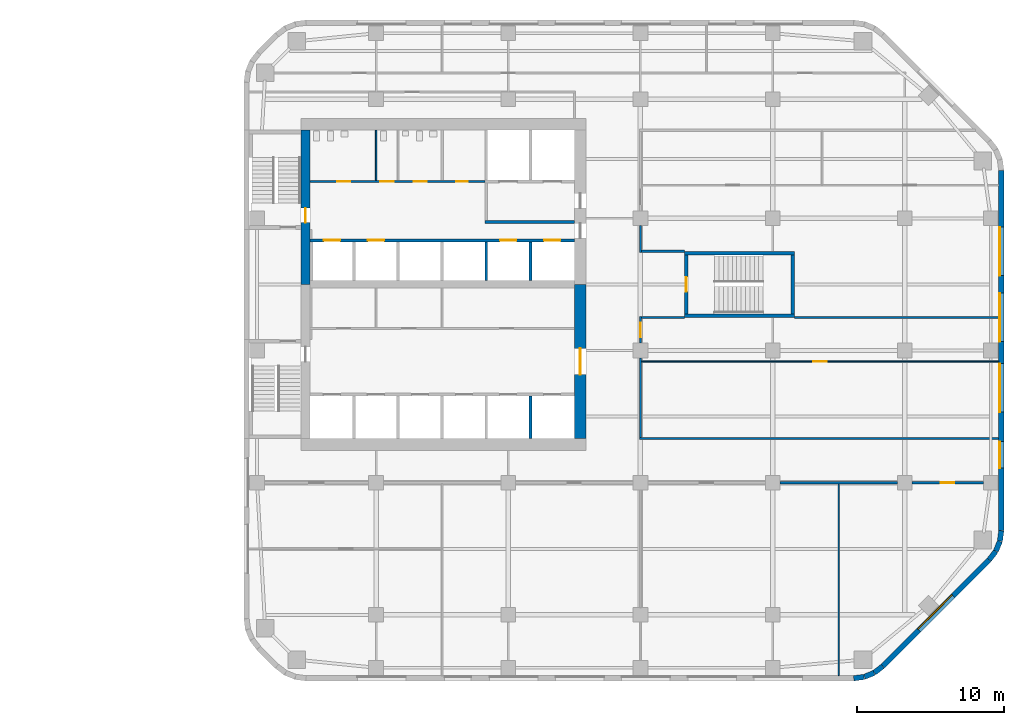
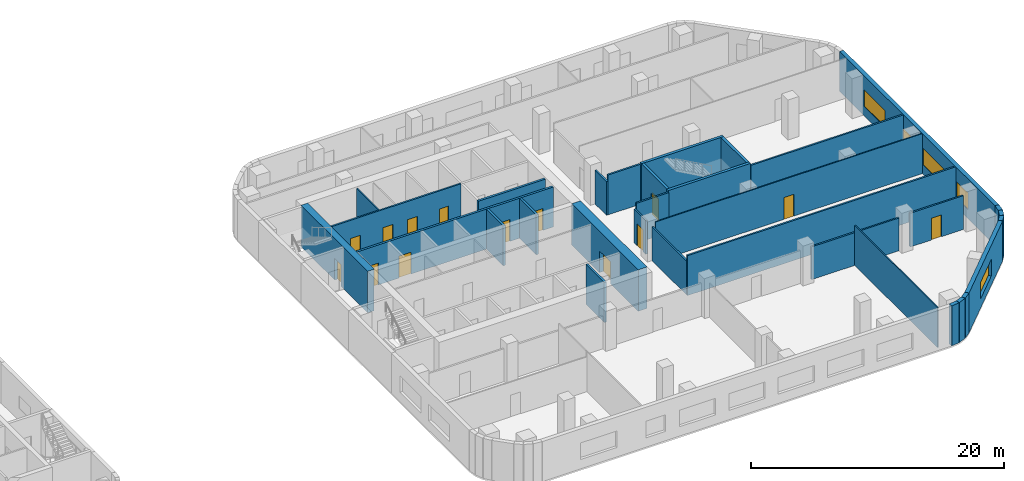
# One storey, part 9 of 14: 32 walls, 14 doors, 5 windows, 19 openings.
"""IFC4 building model written with IfcOpenShell, lengths in metres."""

from ifc_helpers import new_model, si_unit, direction, frame, frame_2d, origin, place, context, subcontext, project, spatial, rectangle, extrude, material, layer, layer_set, type_object, element, fill, save


model = new_model("IFC4")

# Units and contexts
model_context = context("Model", 3, precision=1e-05, world=origin(), true_north=direction((0.0, 1.0)))
body_context = subcontext(model_context, "Body", "Model", "MODEL_VIEW")
ifc_project = project(units=[si_unit("LENGTHUNIT", "METRE"), si_unit("AREAUNIT", "SQUARE_METRE"), si_unit("VOLUMEUNIT", "CUBIC_METRE"), si_unit("PLANEANGLEUNIT", "RADIAN"), si_unit("MASSUNIT", "GRAM", prefix="KILO")], contexts=[model_context])

# Site, building, storey
site_placement = place(None, origin())
site = spatial("IfcSite", under=ifc_project, at=site_placement, CompositionType="ELEMENT")
building_placement = place(site_placement, origin())
building = spatial("IfcBuilding", under=site, at=building_placement, Name="Cinnabar Reach Civic Tower", CompositionType="ELEMENT")
storey_placement = place(building_placement, frame((0.0, 0.0, 112.0)))
storey = spatial("IfcBuildingStorey", under=building, at=storey_placement, Name="L26", CompositionType="ELEMENT", Elevation=112.0)

# Walls
ifc_material_1 = material(Name="Facing brick with insulated backing", Category="masonry")
ifc_layer_1 = layer(ifc_material_1, 0.36)
ifc_layer_set_1 = layer_set([ifc_layer_1], Name="Brick corner wall")
wall_type_1 = type_object("IfcWallType", Name="Brick corner wall", PredefinedType="STANDARD", material=ifc_layer_set_1)
for number, where, z_axis, x_axis, name in (
    (1, (41.5186, 4.683, 0.0), (0.0, 0.0, 1.0), (0.99144092581, 0.13055608231, 0.0), "Brick corner wall"),
    (2, (42.2473, 4.7819, 0.0), (0.0, 0.0, 1.0), (0.923871547278, 0.382702709855, 0.0), "Brick corner wall"),
):
    element("IfcWall", number, at=place(storey_placement, frame(where, z_axis=z_axis, x_axis=x_axis)), inside=storey, type_object=wall_type_1, Name=name, PredefinedType="STANDARD", context=body_context, shape_type="SweptSolid", body=[
        extrude(rectangle(XDim=0.7131, YDim=0.36, at=frame_2d((0.3565, 0.0))), origin(), (0.0, 0.0, 1.0), 3.85),
    ])
for number, where, z_axis, x_axis, name in (
    (3, (42.9255, 5.066, 0.0), (0.0, 0.0, 1.0), (0.793321924995, 0.608802368033, 0.0), "Brick corner wall"),
    (4, (50.7498, 12.7587, 0.0), (0.0, 0.0, 1.0), (0.608802368033, 0.793321924995, 0.0), "Brick corner wall"),
):
    element("IfcWall", number, at=place(storey_placement, frame(where, z_axis=z_axis, x_axis=x_axis)), inside=storey, type_object=wall_type_1, Name=name, PredefinedType="STANDARD", context=body_context, shape_type="SweptSolid", body=[
        extrude(rectangle(XDim=0.7132, YDim=0.36, at=frame_2d((0.3566, 0.0))), origin(), (0.0, 0.0, 1.0), 3.85),
    ])
for number, where, z_axis, x_axis, name in (
    (5, (51.1952, 13.3439, 0.0), (0.0, 0.0, 1.0), (0.382702709855, 0.923871547278, 0.0), "Brick corner wall"),
    (6, (51.4739, 14.0244, 0.0), (0.0, 0.0, 1.0), (0.13055608231, 0.99144092581, 0.0), "Brick corner wall"),
):
    element("IfcWall", number, at=place(storey_placement, frame(where, z_axis=z_axis, x_axis=x_axis)), inside=storey, type_object=wall_type_1, Name=name, PredefinedType="STANDARD", context=body_context, shape_type="SweptSolid", body=[
        extrude(rectangle(XDim=0.7131, YDim=0.36, at=frame_2d((0.3565, 0.0))), origin(), (0.0, 0.0, 1.0), 3.85),
    ])

# Wall, opening, window
ifc_layer_2 = layer(ifc_material_1, 0.36)
ifc_layer_set_2 = layer_set([ifc_layer_2], Name="Brick pier and spandrel wall")
wall_type_2 = type_object("IfcWallType", Name="Brick pier and spandrel wall", PredefinedType="STANDARD", material=ifc_layer_set_2)
wall_1_placement = place(storey_placement, frame((43.5014, 5.506, 0.0), z_axis=(0.0, 0.0, 1.0), x_axis=(0.707106781187, 0.707106781187, 0.0)))
wall_1 = element("IfcWall", 7, at=wall_1_placement, inside=storey, type_object=wall_type_2, Name="Brick facade wall", PredefinedType="STANDARD", context=body_context, shape_type="SweptSolid", body=[
    extrude(rectangle(XDim=10.2426, YDim=0.36, at=frame_2d((5.1213, 0.0))), origin(), (0.0, 0.0, 1.0), 3.85),
])
opening_1_placement = place(wall_1_placement, frame((3.4713, 0.0, 0.9)))
opening_1 = element("IfcOpeningElement", 8, at=opening_1_placement, cuts=wall_1, Name="Opening W1552", PredefinedType="OPENING", context=body_context, shape_type="SweptSolid", body=[
    extrude(rectangle(XDim=3.3, YDim=1.6, at=frame_2d((1.65, 0.8))), frame((0.0, 0.19, 0.0), z_axis=(0.0, -1.0, 0.0), x_axis=(1.0, 0.0, 0.0)), (0.0, 0.0, 1.0), 0.38),
])
ifc_material_2 = material(Name="Clear double glazing in aluminium frame", Category="aluminium")
window_type_1 = type_object("IfcWindowType", Name="Deep-set window A", PartitioningType="SINGLE_PANEL", PredefinedType="WINDOW", material=ifc_material_2)
window_1_placement = place(opening_1_placement, origin())
window_1 = element("IfcWindow", 9, at=window_1_placement, inside=storey, type_object=window_type_1, Name="Window southeast face", OverallHeight=1.6, OverallWidth=3.3, PartitioningType="SINGLE_PANEL", PredefinedType="WINDOW", context=body_context, shape_type="SweptSolid", body=[
    extrude(rectangle(XDim=3.3, YDim=1.6, at=frame_2d((1.65, 0.8))), frame((0.0, 0.13, 0.0), z_axis=(0.0, -1.0, 0.0), x_axis=(1.0, 0.0, 0.0)), (0.0, 0.0, 1.0), 0.06),
])
fill(opening_1, window_1)

# Wall, openings, windows
wall_2_placement = place(storey_placement, frame((51.57, 14.7426, 0.0), z_axis=(0.0, 0.0, 1.0), x_axis=(0.0, 1.0, 0.0)))
wall_2 = element("IfcWall", 10, at=wall_2_placement, inside=storey, type_object=wall_type_2, Name="Brick facade wall", PredefinedType="STANDARD", context=body_context, shape_type="SweptSolid", body=[
    extrude(rectangle(XDim=24.5148, YDim=0.36, at=frame_2d((12.2574, 0.0))), origin(), (0.0, 0.0, 1.0), 3.85),
])
opening_2_placement = place(wall_2_placement, frame((4.2574, 0.0, 0.9)))
opening_2 = element("IfcOpeningElement", 11, at=opening_2_placement, cuts=wall_2, Name="Opening W1553", PredefinedType="OPENING", context=body_context, shape_type="SweptSolid", body=[
    extrude(rectangle(XDim=1.8, YDim=1.6, at=frame_2d((0.9, 0.8))), frame((0.0, 0.19, 0.0), z_axis=(0.0, -1.0, 0.0), x_axis=(1.0, 0.0, 0.0)), (0.0, 0.0, 1.0), 0.38),
])
opening_3_placement = place(wall_2_placement, frame((8.0574, 0.0, 0.9)))
opening_3 = element("IfcOpeningElement", 12, at=opening_3_placement, cuts=wall_2, Name="Opening W1554", PredefinedType="OPENING", context=body_context, shape_type="SweptSolid", body=[
    extrude(rectangle(XDim=3.3, YDim=1.6, at=frame_2d((1.65, 0.8))), frame((0.0, 0.19, 0.0), z_axis=(0.0, -1.0, 0.0), x_axis=(1.0, 0.0, 0.0)), (0.0, 0.0, 1.0), 0.38),
])
opening_4_placement = place(wall_2_placement, frame((12.8574, 0.0, 0.9)))
opening_4 = element("IfcOpeningElement", 13, at=opening_4_placement, cuts=wall_2, Name="Opening W1555", PredefinedType="OPENING", context=body_context, shape_type="SweptSolid", body=[
    extrude(rectangle(XDim=3.3, YDim=1.6, at=frame_2d((1.65, 0.8))), frame((0.0, 0.19, 0.0), z_axis=(0.0, -1.0, 0.0), x_axis=(1.0, 0.0, 0.0)), (0.0, 0.0, 1.0), 0.38),
])
opening_5_placement = place(wall_2_placement, frame((17.3574, 0.0, 0.9)))
opening_5 = element("IfcOpeningElement", 14, at=opening_5_placement, cuts=wall_2, Name="Opening W1556", PredefinedType="OPENING", context=body_context, shape_type="SweptSolid", body=[
    extrude(rectangle(XDim=3.3, YDim=1.6, at=frame_2d((1.65, 0.8))), frame((0.0, 0.19, 0.0), z_axis=(0.0, -1.0, 0.0), x_axis=(1.0, 0.0, 0.0)), (0.0, 0.0, 1.0), 0.38),
])
window_2_placement = place(opening_3_placement, origin())
window_2 = element("IfcWindow", 15, at=window_2_placement, inside=storey, type_object=window_type_1, Name="Window east face", OverallHeight=1.6, OverallWidth=3.3, PartitioningType="SINGLE_PANEL", PredefinedType="WINDOW", context=body_context, shape_type="SweptSolid", body=[
    extrude(rectangle(XDim=3.3, YDim=1.6, at=frame_2d((1.65, 0.8))), frame((0.0, 0.13, 0.0), z_axis=(0.0, -1.0, 0.0), x_axis=(1.0, 0.0, 0.0)), (0.0, 0.0, 1.0), 0.06),
])
fill(opening_3, window_2)
window_3_placement = place(opening_4_placement, origin())
window_3 = element("IfcWindow", 16, at=window_3_placement, inside=storey, type_object=window_type_1, Name="Window east face", OverallHeight=1.6, OverallWidth=3.3, PartitioningType="SINGLE_PANEL", PredefinedType="WINDOW", context=body_context, shape_type="SweptSolid", body=[
    extrude(rectangle(XDim=3.3, YDim=1.6, at=frame_2d((1.65, 0.8))), frame((0.0, 0.13, 0.0), z_axis=(0.0, -1.0, 0.0), x_axis=(1.0, 0.0, 0.0)), (0.0, 0.0, 1.0), 0.06),
])
fill(opening_4, window_3)
window_4_placement = place(opening_5_placement, origin())
window_4 = element("IfcWindow", 17, at=window_4_placement, inside=storey, type_object=window_type_1, Name="Window east face", OverallHeight=1.6, OverallWidth=3.3, PartitioningType="SINGLE_PANEL", PredefinedType="WINDOW", context=body_context, shape_type="SweptSolid", body=[
    extrude(rectangle(XDim=3.3, YDim=1.6, at=frame_2d((1.65, 0.8))), frame((0.0, 0.13, 0.0), z_axis=(0.0, -1.0, 0.0), x_axis=(1.0, 0.0, 0.0)), (0.0, 0.0, 1.0), 0.06),
])
fill(opening_5, window_4)
window_type_2 = type_object("IfcWindowType", Name="Deep-set window D", PartitioningType="SINGLE_PANEL", PredefinedType="WINDOW", material=ifc_material_2)
window_5_placement = place(opening_2_placement, origin())
window_5 = element("IfcWindow", 18, at=window_5_placement, inside=storey, type_object=window_type_2, Name="Window east face", OverallHeight=1.6, OverallWidth=1.8, PartitioningType="SINGLE_PANEL", PredefinedType="WINDOW", context=body_context, shape_type="SweptSolid", body=[
    extrude(rectangle(XDim=1.8, YDim=1.6, at=frame_2d((0.9, 0.8))), frame((0.0, 0.13, 0.0), z_axis=(0.0, -1.0, 0.0), x_axis=(1.0, 0.0, 0.0)), (0.0, 0.0, 1.0), 0.06),
])
fill(opening_2, window_5)

# Wall, opening, door
ifc_material_3 = material(Name="Concrete C70", Category="concrete")
ifc_layer_3 = layer(ifc_material_3, 0.6)
ifc_layer_set_3 = layer_set([ifc_layer_3], Name="Core wall 600 EI 180")
wall_type_3 = type_object("IfcWallType", Name="Core wall 600 EI 180", PredefinedType="SOLIDWALL", material=ifc_layer_set_3)
wall_3_placement = place(storey_placement, frame((4.2, 42.0, 0.0), z_axis=(0.0, 0.0, 1.0), x_axis=(0.0, -1.0, 0.0)))
wall_3 = element("IfcWall", 19, at=wall_3_placement, inside=storey, type_object=wall_type_3, Name="Core wall T1 L26 W", PredefinedType="SOLIDWALL", context=body_context, shape_type="SweptSolid", body=[
    extrude(rectangle(XDim=10.5, YDim=0.6, at=frame_2d((5.25, 0.0))), origin(), (0.0, 0.0, 1.0), 4.0),
])
opening_6_placement = place(wall_3_placement, frame((5.3, 0.0, 0.0)))
opening_6 = element("IfcOpeningElement", 20, at=opening_6_placement, cuts=wall_3, Name="Opening D4047", PredefinedType="OPENING", context=body_context, shape_type="SweptSolid", body=[
    extrude(rectangle(XDim=1.0, YDim=2.1, at=frame_2d((0.5, 1.05))), frame((0.0, 0.31, 0.0), z_axis=(0.0, -1.0, 0.0), x_axis=(1.0, 0.0, 0.0)), (0.0, 0.0, 1.0), 0.62),
])
ifc_material_4 = material(Name="Timber door leaf in steel frame", Category="steel")
door_type_1 = type_object("IfcDoorType", Name="Stair door 1000 x 2100 T1", OperationType="SINGLE_SWING_LEFT", PredefinedType="DOOR", material=ifc_material_4)
door_1_placement = place(opening_6_placement, frame((1.0, 0.0, 0.0), z_axis=(0.0, 0.0, 1.0), x_axis=(-1.0, 0.0, 0.0)))
door_1 = element("IfcDoor", 21, at=door_1_placement, inside=storey, type_object=door_type_1, Name="Door D4047", OperationType="SINGLE_SWING_LEFT", OverallHeight=2.1, OverallWidth=1.0, PredefinedType="DOOR", context=body_context, shape_type="SweptSolid", body=[
    extrude(rectangle(XDim=1.0, YDim=2.1, at=frame_2d((0.5, 1.05))), frame((0.0, 0.025, 0.0), z_axis=(0.0, -1.0, 0.0), x_axis=(1.0, 0.0, 0.0)), (0.0, 0.0, 1.0), 0.05),
])
fill(opening_6, door_1)

ifc_layer_4 = layer(ifc_material_3, 0.8)
ifc_layer_set_4 = layer_set([ifc_layer_4], Name="Core wall 800 EI 180")
wall_type_4 = type_object("IfcWallType", Name="Core wall 800 EI 180", PredefinedType="SOLIDWALL", material=ifc_layer_set_4)
wall_4_placement = place(storey_placement, frame((22.9, 21.0, 0.0), z_axis=(0.0, 0.0, 1.0), x_axis=(0.0, 1.0, 0.0)))
wall_4 = element("IfcWall", 22, at=wall_4_placement, inside=storey, type_object=wall_type_4, Name="Core wall T1 L26 E", PredefinedType="SOLIDWALL", context=body_context, shape_type="SweptSolid", body=[
    extrude(rectangle(XDim=10.5, YDim=0.8, at=frame_2d((5.25, 0.0))), origin(), (0.0, 0.0, 1.0), 4.0),
])
opening_7_placement = place(wall_4_placement, frame((4.35, 0.0, 0.0)))
opening_7 = element("IfcOpeningElement", 23, at=opening_7_placement, cuts=wall_4, Name="Opening D4061", PredefinedType="OPENING", context=body_context, shape_type="SweptSolid", body=[
    extrude(rectangle(XDim=1.8, YDim=2.1, at=frame_2d((0.9, 1.05))), frame((0.0, 0.41, 0.0), z_axis=(0.0, -1.0, 0.0), x_axis=(1.0, 0.0, 0.0)), (0.0, 0.0, 1.0), 0.82),
])
door_type_2 = type_object("IfcDoorType", Name="Double swing door 1800 x 2100 T1", OperationType="DOUBLE_DOOR_DOUBLE_SWING", PredefinedType="DOOR", material=ifc_material_4)
door_2_placement = place(opening_7_placement, origin())
door_2 = element("IfcDoor", 24, at=door_2_placement, inside=storey, type_object=door_type_2, Name="Door D4061", OperationType="DOUBLE_DOOR_DOUBLE_SWING", OverallHeight=2.1, OverallWidth=1.8, PredefinedType="DOOR", context=body_context, shape_type="SweptSolid", body=[
    extrude(rectangle(XDim=1.8, YDim=2.1, at=frame_2d((0.9, 1.05))), frame((0.0, 0.025, 0.0), z_axis=(0.0, -1.0, 0.0), x_axis=(1.0, 0.0, 0.0)), (0.0, 0.0, 1.0), 0.05),
])
fill(opening_7, door_2)

ifc_material_5 = material(Name="Gypsum board on steel studs, double layer", Category="steel")
ifc_layer_5 = layer(ifc_material_5, 0.15)
ifc_layer_set_5 = layer_set([ifc_layer_5], Name="Corridor wall 150 T1")
wall_type_5 = type_object("IfcWallType", Name="Corridor wall 150 T1", PredefinedType="PARTITIONING", material=ifc_layer_set_5)
wall_5_placement = place(storey_placement, frame((45.5, 18.0, 0.0), z_axis=(0.0, 0.0, 1.0), x_axis=(1.0, 0.0, 0.0)))
wall_5 = element("IfcWall", 25, at=wall_5_placement, inside=storey, type_object=wall_type_5, Name="Corridor wall 19", PredefinedType="PARTITIONING", context=body_context, shape_type="SweptSolid", body=[
    extrude(rectangle(XDim=4.85, YDim=0.15, at=frame_2d((2.425, 0.0))), origin(), (0.0, 0.0, 1.0), 3.254),
])
opening_8_placement = place(wall_5_placement, frame((1.95, 0.0, 0.0)))
opening_8 = element("IfcOpeningElement", 26, at=opening_8_placement, cuts=wall_5, Name="Opening D4081", PredefinedType="OPENING", context=body_context, shape_type="SweptSolid", body=[
    extrude(rectangle(XDim=0.9, YDim=2.1, at=frame_2d((0.45, 1.05))), frame((0.0, 0.085, 0.0), z_axis=(0.0, -1.0, 0.0), x_axis=(1.0, 0.0, 0.0)), (0.0, 0.0, 1.0), 0.17),
])
door_type_3 = type_object("IfcDoorType", Name="Single swing door 900 x 2100 corridor T1", OperationType="SINGLE_SWING_LEFT", PredefinedType="DOOR", material=ifc_material_4)
door_3_placement = place(opening_8_placement, frame((0.9, 0.0, 0.0), z_axis=(0.0, 0.0, 1.0), x_axis=(-1.0, 0.0, 0.0)))
door_3 = element("IfcDoor", 27, at=door_3_placement, inside=storey, type_object=door_type_3, Name="Door D4081", OperationType="SINGLE_SWING_LEFT", OverallHeight=2.1, OverallWidth=0.9, PredefinedType="DOOR", context=body_context, shape_type="SweptSolid", body=[
    extrude(rectangle(XDim=0.9, YDim=2.1, at=frame_2d((0.45, 1.05))), frame((0.0, 0.025, 0.0), z_axis=(0.0, -1.0, 0.0), x_axis=(1.0, 0.0, 0.0)), (0.0, 0.0, 1.0), 0.05),
])
fill(opening_8, door_3)

# Walls
wall_6_placement = place(storey_placement, frame((36.5, 18.0, 0.0), z_axis=(0.0, 0.0, 1.0), x_axis=(1.0, 0.0, 0.0)))
element("IfcWall", 28, at=wall_6_placement, inside=storey, type_object=wall_type_5, Name="Corridor wall 20", PredefinedType="PARTITIONING", context=body_context, shape_type="SweptSolid", body=[
    extrude(rectangle(XDim=8.0, YDim=0.15, at=frame_2d((4.0, 0.0))), origin(), (0.0, 0.0, 1.0), 3.158),
])
wall_7_placement = place(storey_placement, frame((26.925, 21.0, 0.0), z_axis=(0.0, 0.0, 1.0), x_axis=(1.0, 0.0, 0.0)))
element("IfcWall", 29, at=wall_7_placement, inside=storey, type_object=wall_type_5, Name="Corridor wall 26", PredefinedType="PARTITIONING", context=body_context, shape_type="SweptSolid", body=[
    extrude(rectangle(XDim=24.465, YDim=0.15, at=frame_2d((12.2325, 0.0))), origin(), (0.0, 0.0, 1.0), 3.85),
])

# Wall, openings, doors
wall_8_placement = place(storey_placement, frame((4.5, 38.5, 0.0), z_axis=(0.0, 0.0, 1.0), x_axis=(1.0, 0.0, 0.0)))
wall_8 = element("IfcWall", 30, at=wall_8_placement, inside=storey, type_object=wall_type_5, Name="Corridor wall 30", PredefinedType="PARTITIONING", context=body_context, shape_type="SweptSolid", body=[
    extrude(rectangle(XDim=11.9, YDim=0.15, at=frame_2d((5.95, 0.0))), origin(), (0.0, 0.0, 1.0), 3.85),
])
opening_9_placement = place(wall_8_placement, frame((1.85, 0.0, 0.0)))
opening_9 = element("IfcOpeningElement", 31, at=opening_9_placement, cuts=wall_8, Name="Opening D4068", PredefinedType="OPENING", context=body_context, shape_type="SweptSolid", body=[
    extrude(rectangle(XDim=0.9, YDim=2.1, at=frame_2d((0.45, 1.05))), frame((0.0, 0.085, 0.0), z_axis=(0.0, -1.0, 0.0), x_axis=(1.0, 0.0, 0.0)), (0.0, 0.0, 1.0), 0.17),
])
opening_10_placement = place(wall_8_placement, frame((4.8, 0.0, 0.0)))
opening_10 = element("IfcOpeningElement", 32, at=opening_10_placement, cuts=wall_8, Name="Opening D4069", PredefinedType="OPENING", context=body_context, shape_type="SweptSolid", body=[
    extrude(rectangle(XDim=0.9, YDim=2.1, at=frame_2d((0.45, 1.05))), frame((0.0, 0.085, 0.0), z_axis=(0.0, -1.0, 0.0), x_axis=(1.0, 0.0, 0.0)), (0.0, 0.0, 1.0), 0.17),
])
opening_11_placement = place(wall_8_placement, frame((7.05, 0.0, 0.0)))
opening_11 = element("IfcOpeningElement", 33, at=opening_11_placement, cuts=wall_8, Name="Opening D4070", PredefinedType="OPENING", context=body_context, shape_type="SweptSolid", body=[
    extrude(rectangle(XDim=0.9, YDim=2.1, at=frame_2d((0.45, 1.05))), frame((0.0, 0.085, 0.0), z_axis=(0.0, -1.0, 0.0), x_axis=(1.0, 0.0, 0.0)), (0.0, 0.0, 1.0), 0.17),
])
opening_12_placement = place(wall_8_placement, frame((9.95, 0.0, 0.0)))
opening_12 = element("IfcOpeningElement", 34, at=opening_12_placement, cuts=wall_8, Name="Opening D4071", PredefinedType="OPENING", context=body_context, shape_type="SweptSolid", body=[
    extrude(rectangle(XDim=0.8, YDim=2.1, at=frame_2d((0.4, 1.05))), frame((0.0, 0.085, 0.0), z_axis=(0.0, -1.0, 0.0), x_axis=(1.0, 0.0, 0.0)), (0.0, 0.0, 1.0), 0.17),
])
door_type_4 = type_object("IfcDoorType", Name="Riser access door 800 x 2100 T1", OperationType="SINGLE_SWING_LEFT", PredefinedType="DOOR", material=ifc_material_4)
door_4_placement = place(opening_12_placement, origin())
door_4 = element("IfcDoor", 35, at=door_4_placement, inside=storey, type_object=door_type_4, Name="Door D4071", OperationType="SINGLE_SWING_LEFT", OverallHeight=2.1, OverallWidth=0.8, PredefinedType="DOOR", context=body_context, shape_type="SweptSolid", body=[
    extrude(rectangle(XDim=0.8, YDim=2.1, at=frame_2d((0.4, 1.05))), frame((0.0, 0.025, 0.0), z_axis=(0.0, -1.0, 0.0), x_axis=(1.0, 0.0, 0.0)), (0.0, 0.0, 1.0), 0.05),
])
fill(opening_12, door_4)
door_5_placement = place(opening_9_placement, origin())
door_5 = element("IfcDoor", 36, at=door_5_placement, inside=storey, type_object=door_type_3, Name="Door D4068", OperationType="SINGLE_SWING_RIGHT", OverallHeight=2.1, OverallWidth=0.9, PredefinedType="DOOR", context=body_context, shape_type="SweptSolid", body=[
    extrude(rectangle(XDim=0.9, YDim=2.1, at=frame_2d((0.45, 1.05))), frame((0.0, 0.025, 0.0), z_axis=(0.0, -1.0, 0.0), x_axis=(1.0, 0.0, 0.0)), (0.0, 0.0, 1.0), 0.05),
])
fill(opening_9, door_5)
door_6_placement = place(opening_10_placement, origin())
door_6 = element("IfcDoor", 37, at=door_6_placement, inside=storey, type_object=door_type_3, Name="Door D4069", OperationType="SINGLE_SWING_LEFT", OverallHeight=2.1, OverallWidth=0.9, PredefinedType="DOOR", context=body_context, shape_type="SweptSolid", body=[
    extrude(rectangle(XDim=0.9, YDim=2.1, at=frame_2d((0.45, 1.05))), frame((0.0, 0.025, 0.0), z_axis=(0.0, -1.0, 0.0), x_axis=(1.0, 0.0, 0.0)), (0.0, 0.0, 1.0), 0.05),
])
fill(opening_10, door_6)
door_7_placement = place(opening_11_placement, origin())
door_7 = element("IfcDoor", 38, at=door_7_placement, inside=storey, type_object=door_type_3, Name="Door D4070", OperationType="SINGLE_SWING_LEFT", OverallHeight=2.1, OverallWidth=0.9, PredefinedType="DOOR", context=body_context, shape_type="SweptSolid", body=[
    extrude(rectangle(XDim=0.9, YDim=2.1, at=frame_2d((0.45, 1.05))), frame((0.0, 0.025, 0.0), z_axis=(0.0, -1.0, 0.0), x_axis=(1.0, 0.0, 0.0)), (0.0, 0.0, 1.0), 0.05),
])
fill(opening_11, door_7)

# Wall
wall_9_placement = place(storey_placement, frame((27.0, 21.075, 0.0), z_axis=(0.0, 0.0, 1.0), x_axis=(0.0, 1.0, 0.0)))
element("IfcWall", 39, at=wall_9_placement, inside=storey, type_object=wall_type_5, Name="Corridor wall 31", PredefinedType="PARTITIONING", context=body_context, shape_type="SweptSolid", body=[
    extrude(rectangle(XDim=5.425, YDim=0.15, at=frame_2d((2.7125, 0.0))), origin(), (0.0, 0.0, 1.0), 3.256),
])

# Wall, opening, door
wall_10_placement = place(storey_placement, frame((27.0, 27.5, 0.0), z_axis=(0.0, 0.0, 1.0), x_axis=(0.0, 1.0, 0.0)))
wall_10 = element("IfcWall", 40, at=wall_10_placement, inside=storey, type_object=wall_type_5, Name="Corridor wall 32", PredefinedType="PARTITIONING", context=body_context, shape_type="SweptSolid", body=[
    extrude(rectangle(XDim=1.825, YDim=0.15, at=frame_2d((0.9125, 0.0))), origin(), (0.0, 0.0, 1.0), 3.256),
])
opening_13_placement = place(wall_10_placement, frame((0.4, 0.0, 0.0)))
opening_13 = element("IfcOpeningElement", 41, at=opening_13_placement, cuts=wall_10, Name="Opening D4075", PredefinedType="OPENING", context=body_context, shape_type="SweptSolid", body=[
    extrude(rectangle(XDim=1.0, YDim=2.1, at=frame_2d((0.5, 1.05))), frame((0.0, 0.085, 0.0), z_axis=(0.0, -1.0, 0.0), x_axis=(1.0, 0.0, 0.0)), (0.0, 0.0, 1.0), 0.17),
])
door_type_5 = type_object("IfcDoorType", Name="Tenancy entrance door 1000 x 2100 T1", OperationType="SINGLE_SWING_LEFT", PredefinedType="DOOR", material=ifc_material_4)
door_8_placement = place(opening_13_placement, frame((1.0, 0.0, 0.0), z_axis=(0.0, 0.0, 1.0), x_axis=(-1.0, 0.0, 0.0)))
door_8 = element("IfcDoor", 42, at=door_8_placement, inside=storey, type_object=door_type_5, Name="Door D4075", OperationType="SINGLE_SWING_LEFT", OverallHeight=2.1, OverallWidth=1.0, PredefinedType="DOOR", context=body_context, shape_type="SweptSolid", body=[
    extrude(rectangle(XDim=1.0, YDim=2.1, at=frame_2d((0.5, 1.05))), frame((0.0, 0.025, 0.0), z_axis=(0.0, -1.0, 0.0), x_axis=(1.0, 0.0, 0.0)), (0.0, 0.0, 1.0), 0.05),
])
fill(opening_13, door_8)

# Walls
wall_11_placement = place(storey_placement, frame((27.0, 33.675, 0.0), z_axis=(0.0, 0.0, 1.0), x_axis=(0.0, 1.0, 0.0)))
element("IfcWall", 43, at=wall_11_placement, inside=storey, type_object=wall_type_5, Name="Corridor wall 33", PredefinedType="PARTITIONING", context=body_context, shape_type="SweptSolid", body=[
    extrude(rectangle(XDim=1.825, YDim=0.15, at=frame_2d((0.9125, 0.0))), origin(), (0.0, 0.0, 1.0), 3.256),
])
for number, where, z_axis, x_axis, name in (
    (44, (27.075, 29.25, 0.0), (0.0, 0.0, 1.0), (1.0, 0.0, 0.0), "Corridor wall 37"),
    (45, (27.075, 33.75, 0.0), (0.0, 0.0, 1.0), (1.0, 0.0, 0.0), "Corridor wall 38"),
):
    element("IfcWall", number, at=place(storey_placement, frame(where, z_axis=z_axis, x_axis=x_axis)), inside=storey, type_object=wall_type_5, Name=name, PredefinedType="PARTITIONING", context=body_context, shape_type="SweptSolid", body=[
        extrude(rectangle(XDim=2.925, YDim=0.15, at=frame_2d((1.4625, 0.0))), origin(), (0.0, 0.0, 1.0), 3.85),
    ])

# Wall, openings, doors
ifc_material_6 = material(Name="Blockwork", Category="masonry")
ifc_layer_6 = layer(ifc_material_6, 0.2)
ifc_layer_set_6 = layer_set([ifc_layer_6], Name="Lift shaft wall 200 T1")
wall_type_6 = type_object("IfcWallType", Name="Lift shaft wall 200 T1", PredefinedType="PARTITIONING", material=ifc_layer_set_6)
wall_12_placement = place(storey_placement, frame((4.5, 34.5, 0.0), z_axis=(0.0, 0.0, 1.0), x_axis=(1.0, 0.0, 0.0)))
wall_12 = element("IfcWall", 46, at=wall_12_placement, inside=storey, type_object=wall_type_6, Name="Lift shaft wall 5", PredefinedType="PARTITIONING", context=body_context, shape_type="SweptSolid", body=[
    extrude(rectangle(XDim=18.0, YDim=0.2, at=frame_2d((9.0, 0.0))), origin(), (0.0, 0.0, 1.0), 3.85),
])
opening_14_placement = place(wall_12_placement, frame((0.95, 0.0, 0.0)))
opening_14 = element("IfcOpeningElement", 47, at=opening_14_placement, cuts=wall_12, Name="Opening D4055", PredefinedType="OPENING", context=body_context, shape_type="SweptSolid", body=[
    extrude(rectangle(XDim=1.1, YDim=2.1, at=frame_2d((0.55, 1.05))), frame((0.0, 0.11, 0.0), z_axis=(0.0, -1.0, 0.0), x_axis=(1.0, 0.0, 0.0)), (0.0, 0.0, 1.0), 0.22),
])
opening_15_placement = place(wall_12_placement, frame((3.95, 0.0, 0.0)))
opening_15 = element("IfcOpeningElement", 48, at=opening_15_placement, cuts=wall_12, Name="Opening D4056", PredefinedType="OPENING", context=body_context, shape_type="SweptSolid", body=[
    extrude(rectangle(XDim=1.1, YDim=2.1, at=frame_2d((0.55, 1.05))), frame((0.0, 0.11, 0.0), z_axis=(0.0, -1.0, 0.0), x_axis=(1.0, 0.0, 0.0)), (0.0, 0.0, 1.0), 0.22),
])
opening_16_placement = place(wall_12_placement, frame((12.95, 0.0, 0.0)))
opening_16 = element("IfcOpeningElement", 49, at=opening_16_placement, cuts=wall_12, Name="Opening D4057", PredefinedType="OPENING", context=body_context, shape_type="SweptSolid", body=[
    extrude(rectangle(XDim=1.1, YDim=2.1, at=frame_2d((0.55, 1.05))), frame((0.0, 0.11, 0.0), z_axis=(0.0, -1.0, 0.0), x_axis=(1.0, 0.0, 0.0)), (0.0, 0.0, 1.0), 0.22),
])
opening_17_placement = place(wall_12_placement, frame((15.95, 0.0, 0.0)))
opening_17 = element("IfcOpeningElement", 50, at=opening_17_placement, cuts=wall_12, Name="Opening D4058", PredefinedType="OPENING", context=body_context, shape_type="SweptSolid", body=[
    extrude(rectangle(XDim=1.1, YDim=2.1, at=frame_2d((0.55, 1.05))), frame((0.0, 0.11, 0.0), z_axis=(0.0, -1.0, 0.0), x_axis=(1.0, 0.0, 0.0)), (0.0, 0.0, 1.0), 0.22),
])
ifc_material_7 = material(Name="Stainless steel sliding door", Category="steel")
door_type_6 = type_object("IfcDoorType", Name="Lift landing door 1100 x 2100 T1", OperationType="SLIDING_TO_LEFT", PredefinedType="DOOR", material=ifc_material_7)
door_9_placement = place(opening_14_placement, origin())
door_9 = element("IfcDoor", 51, at=door_9_placement, inside=storey, type_object=door_type_6, Name="Lift landing door SH1 L26", OperationType="SLIDING_TO_LEFT", OverallHeight=2.1, OverallWidth=1.1, PredefinedType="DOOR", context=body_context, shape_type="SweptSolid", body=[
    extrude(rectangle(XDim=1.1, YDim=2.1, at=frame_2d((0.55, 1.05))), frame((0.0, 0.025, 0.0), z_axis=(0.0, -1.0, 0.0), x_axis=(1.0, 0.0, 0.0)), (0.0, 0.0, 1.0), 0.05),
])
fill(opening_14, door_9)
door_10_placement = place(opening_15_placement, origin())
door_10 = element("IfcDoor", 52, at=door_10_placement, inside=storey, type_object=door_type_6, Name="Lift landing door SH2 L26", OperationType="SLIDING_TO_LEFT", OverallHeight=2.1, OverallWidth=1.1, PredefinedType="DOOR", context=body_context, shape_type="SweptSolid", body=[
    extrude(rectangle(XDim=1.1, YDim=2.1, at=frame_2d((0.55, 1.05))), frame((0.0, 0.025, 0.0), z_axis=(0.0, -1.0, 0.0), x_axis=(1.0, 0.0, 0.0)), (0.0, 0.0, 1.0), 0.05),
])
fill(opening_15, door_10)
door_11_placement = place(opening_16_placement, origin())
door_11 = element("IfcDoor", 53, at=door_11_placement, inside=storey, type_object=door_type_6, Name="Lift landing door SV1 L26", OperationType="SLIDING_TO_LEFT", OverallHeight=2.1, OverallWidth=1.1, PredefinedType="DOOR", context=body_context, shape_type="SweptSolid", body=[
    extrude(rectangle(XDim=1.1, YDim=2.1, at=frame_2d((0.55, 1.05))), frame((0.0, 0.025, 0.0), z_axis=(0.0, -1.0, 0.0), x_axis=(1.0, 0.0, 0.0)), (0.0, 0.0, 1.0), 0.05),
])
fill(opening_16, door_11)
door_12_placement = place(opening_17_placement, origin())
door_12 = element("IfcDoor", 54, at=door_12_placement, inside=storey, type_object=door_type_6, Name="Lift landing door SV2 L26", OperationType="SLIDING_TO_LEFT", OverallHeight=2.1, OverallWidth=1.1, PredefinedType="DOOR", context=body_context, shape_type="SweptSolid", body=[
    extrude(rectangle(XDim=1.1, YDim=2.1, at=frame_2d((0.55, 1.05))), frame((0.0, 0.025, 0.0), z_axis=(0.0, -1.0, 0.0), x_axis=(1.0, 0.0, 0.0)), (0.0, 0.0, 1.0), 0.05),
])
fill(opening_17, door_12)

# Walls
wall_13_placement = place(storey_placement, frame((16.5, 31.75, 0.0), z_axis=(0.0, 0.0, 1.0), x_axis=(0.0, 1.0, 0.0)))
element("IfcWall", 55, at=wall_13_placement, inside=storey, type_object=wall_type_6, Name="Lift shaft wall 16", PredefinedType="PARTITIONING", context=body_context, shape_type="SweptSolid", body=[
    extrude(rectangle(XDim=2.65, YDim=0.2, at=frame_2d((1.325, 0.0))), origin(), (0.0, 0.0, 1.0), 3.85),
])
wall_14_placement = place(storey_placement, frame((19.5, 21.0, 0.0), z_axis=(0.0, 0.0, 1.0), x_axis=(0.0, 1.0, 0.0)))
element("IfcWall", 56, at=wall_14_placement, inside=storey, type_object=wall_type_6, Name="Lift shaft wall 17", PredefinedType="PARTITIONING", context=body_context, shape_type="SweptSolid", body=[
    extrude(rectangle(XDim=2.9, YDim=0.2, at=frame_2d((1.45, 0.0))), origin(), (0.0, 0.0, 1.0), 3.85),
])
wall_15_placement = place(storey_placement, frame((19.5, 31.75, 0.0), z_axis=(0.0, 0.0, 1.0), x_axis=(0.0, 1.0, 0.0)))
element("IfcWall", 57, at=wall_15_placement, inside=storey, type_object=wall_type_6, Name="Lift shaft wall 18", PredefinedType="PARTITIONING", context=body_context, shape_type="SweptSolid", body=[
    extrude(rectangle(XDim=2.65, YDim=0.2, at=frame_2d((1.325, 0.0))), origin(), (0.0, 0.0, 1.0), 3.85),
])

# Wall, opening, door
ifc_material_8 = material(Name="Gypsum board on steel studs", Category="steel")
ifc_layer_7 = layer(ifc_material_8, 0.1)
ifc_layer_set_7 = layer_set([ifc_layer_7], Name="Partition wall 100 T1")
wall_type_7 = type_object("IfcWallType", Name="Partition wall 100 T1", PredefinedType="PARTITIONING", material=ifc_layer_set_7)
wall_16_placement = place(storey_placement, frame((27.075, 26.25, 0.0), z_axis=(0.0, 0.0, 1.0), x_axis=(1.0, 0.0, 0.0)))
wall_16 = element("IfcWall", 58, at=wall_16_placement, inside=storey, type_object=wall_type_7, Name="Partition wall 43", PredefinedType="PARTITIONING", context=body_context, shape_type="SweptSolid", body=[
    extrude(rectangle(XDim=24.315, YDim=0.1, at=frame_2d((12.1575, 0.0))), origin(), (0.0, 0.0, 1.0), 3.85),
])
opening_18_placement = place(wall_16_placement, frame((11.7, 0.0, 0.0)))
opening_18 = element("IfcOpeningElement", 59, at=opening_18_placement, cuts=wall_16, Name="Opening D4076", PredefinedType="OPENING", context=body_context, shape_type="SweptSolid", body=[
    extrude(rectangle(XDim=0.9, YDim=2.1, at=frame_2d((0.45, 1.05))), frame((0.0, 0.06, 0.0), z_axis=(0.0, -1.0, 0.0), x_axis=(1.0, 0.0, 0.0)), (0.0, 0.0, 1.0), 0.12),
])
door_type_7 = type_object("IfcDoorType", Name="Single swing door 900 x 2100 T1", OperationType="SINGLE_SWING_LEFT", PredefinedType="DOOR", material=ifc_material_4)
door_13_placement = place(opening_18_placement, origin())
door_13 = element("IfcDoor", 60, at=door_13_placement, inside=storey, type_object=door_type_7, Name="Door D4076", OperationType="SINGLE_SWING_RIGHT", OverallHeight=2.1, OverallWidth=0.9, PredefinedType="DOOR", context=body_context, shape_type="SweptSolid", body=[
    extrude(rectangle(XDim=0.9, YDim=2.1, at=frame_2d((0.45, 1.05))), frame((0.0, 0.025, 0.0), z_axis=(0.0, -1.0, 0.0), x_axis=(1.0, 0.0, 0.0)), (0.0, 0.0, 1.0), 0.05),
])
fill(opening_18, door_13)

# Walls
wall_17_placement = place(storey_placement, frame((40.5, 4.86, 0.0), z_axis=(0.0, 0.0, 1.0), x_axis=(0.0, 1.0, 0.0)))
element("IfcWall", 61, at=wall_17_placement, inside=storey, type_object=wall_type_7, Name="Partition wall 50", PredefinedType="PARTITIONING", context=body_context, shape_type="SweptSolid", body=[
    extrude(rectangle(XDim=13.065, YDim=0.1, at=frame_2d((6.5325, 0.0))), origin(), (0.0, 0.0, 1.0), 3.85),
])
wall_18_placement = place(storey_placement, frame((9.0, 38.575, 0.0), z_axis=(0.0, 0.0, 1.0), x_axis=(0.0, 1.0, 0.0)))
element("IfcWall", 62, at=wall_18_placement, inside=storey, type_object=wall_type_7, Name="Partition wall 52", PredefinedType="PARTITIONING", context=body_context, shape_type="SweptSolid", body=[
    extrude(rectangle(XDim=3.425, YDim=0.1, at=frame_2d((1.7125, 0.0))), origin(), (0.0, 0.0, 1.0), 3.85),
])
ifc_material_9 = material(Name="Concrete C40", Category="concrete")
ifc_layer_8 = layer(ifc_material_9, 0.2)
ifc_layer_set_8 = layer_set([ifc_layer_8], Name="Refuge compartment wall 200 T1")
wall_type_8 = type_object("IfcWallType", Name="Refuge compartment wall 200 T1", PredefinedType="PARTITIONING", material=ifc_layer_set_8)
wall_19_placement = place(storey_placement, frame((16.4, 35.75, 0.0), z_axis=(0.0, 0.0, 1.0), x_axis=(1.0, 0.0, 0.0)))
element("IfcWall", 63, at=wall_19_placement, inside=storey, type_object=wall_type_8, Name="Refuge compartment wall 1", PredefinedType="PARTITIONING", context=body_context, shape_type="SweptSolid", body=[
    extrude(rectangle(XDim=6.1, YDim=0.2, at=frame_2d((3.05, 0.0))), origin(), (0.0, 0.0, 1.0), 3.85),
])
ifc_material_10 = material(Name="Concrete C60", Category="concrete")
ifc_layer_9 = layer(ifc_material_10, 0.25)
ifc_layer_set_9 = layer_set([ifc_layer_9], Name="Stair shaft wall 250 EI 120")
wall_type_9 = type_object("IfcWallType", Name="Stair shaft wall 250 EI 120", PredefinedType="SOLIDWALL", material=ifc_layer_set_9)
for number, where, z_axis, x_axis, name in (
    (64, (30.0, 29.375, 0.0), (0.0, 0.0, 1.0), (1.0, 0.0, 0.0), "Stair shaft wall T1-S3 L26"),
    (65, (37.5, 33.625, 0.0), (0.0, 0.0, 1.0), (-1.0, 0.0, 0.0), "Stair shaft wall T1-S3 L26"),
):
    element("IfcWall", number, at=place(storey_placement, frame(where, z_axis=z_axis, x_axis=x_axis)), inside=storey, type_object=wall_type_9, Name=name, PredefinedType="SOLIDWALL", context=body_context, shape_type="SweptSolid", body=[
        extrude(rectangle(XDim=7.5, YDim=0.25, at=frame_2d((3.75, 0.0))), origin(), (0.0, 0.0, 1.0), 4.0),
    ])
wall_20_placement = place(storey_placement, frame((37.375, 29.5, 0.0), z_axis=(0.0, 0.0, 1.0), x_axis=(0.0, 1.0, 0.0)))
element("IfcWall", 66, at=wall_20_placement, inside=storey, type_object=wall_type_9, Name="Stair shaft wall T1-S3 L26", PredefinedType="SOLIDWALL", context=body_context, shape_type="SweptSolid", body=[
    extrude(rectangle(XDim=4.0, YDim=0.25, at=frame_2d((2.0, 0.0))), origin(), (0.0, 0.0, 1.0), 4.0),
])

# Wall, opening, door
wall_21_placement = place(storey_placement, frame((30.125, 33.5, 0.0), z_axis=(0.0, 0.0, 1.0), x_axis=(0.0, -1.0, 0.0)))
wall_21 = element("IfcWall", 67, at=wall_21_placement, inside=storey, type_object=wall_type_9, Name="Stair shaft wall T1-S3 L26", PredefinedType="SOLIDWALL", context=body_context, shape_type="SweptSolid", body=[
    extrude(rectangle(XDim=4.0, YDim=0.25, at=frame_2d((2.0, 0.0))), origin(), (0.0, 0.0, 1.0), 4.0),
])
opening_19_placement = place(wall_21_placement, frame((1.5, 0.0, 0.0)))
opening_19 = element("IfcOpeningElement", 68, at=opening_19_placement, cuts=wall_21, Name="Opening D4064", PredefinedType="OPENING", context=body_context, shape_type="SweptSolid", body=[
    extrude(rectangle(XDim=1.0, YDim=2.1, at=frame_2d((0.5, 1.05))), frame((0.0, 0.135, 0.0), z_axis=(0.0, -1.0, 0.0), x_axis=(1.0, 0.0, 0.0)), (0.0, 0.0, 1.0), 0.27),
])
door_14_placement = place(opening_19_placement, origin())
door_14 = element("IfcDoor", 69, at=door_14_placement, inside=storey, type_object=door_type_1, Name="Door D4064", OperationType="SINGLE_SWING_RIGHT", OverallHeight=2.1, OverallWidth=1.0, PredefinedType="DOOR", context=body_context, shape_type="SweptSolid", body=[
    extrude(rectangle(XDim=1.0, YDim=2.1, at=frame_2d((0.5, 1.05))), frame((0.0, 0.025, 0.0), z_axis=(0.0, -1.0, 0.0), x_axis=(1.0, 0.0, 0.0)), (0.0, 0.0, 1.0), 0.05),
])
fill(opening_19, door_14)

# Wall
ifc_layer_10 = layer(ifc_material_5, 0.15)
ifc_layer_set_10 = layer_set([ifc_layer_10], Name="Tenancy separating wall 150 T1")
wall_type_10 = type_object("IfcWallType", Name="Tenancy separating wall 150 T1", PredefinedType="PARTITIONING", material=ifc_layer_set_10)
wall_22_placement = place(storey_placement, frame((37.5, 29.25, 0.0), z_axis=(0.0, 0.0, 1.0), x_axis=(1.0, 0.0, 0.0)))
element("IfcWall", 70, at=wall_22_placement, inside=storey, type_object=wall_type_10, Name="Tenancy separating wall 42", PredefinedType="PARTITIONING", context=body_context, shape_type="SweptSolid", body=[
    extrude(rectangle(XDim=13.89, YDim=0.15, at=frame_2d((6.945, 0.0))), origin(), (0.0, 0.0, 1.0), 3.85),
])

save(model, "model.ifc")
